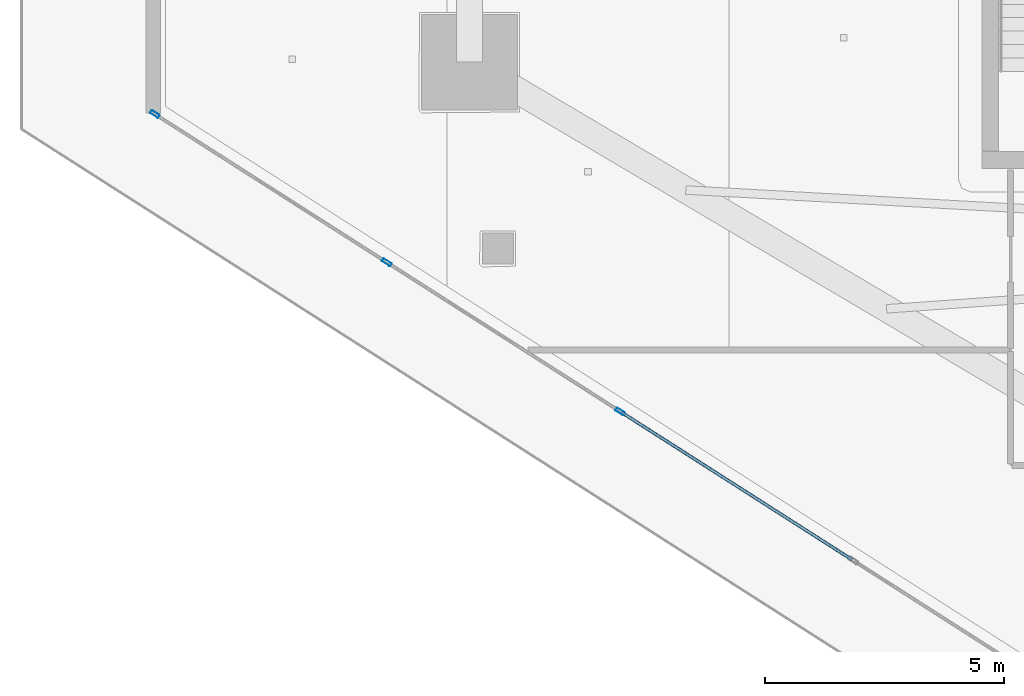
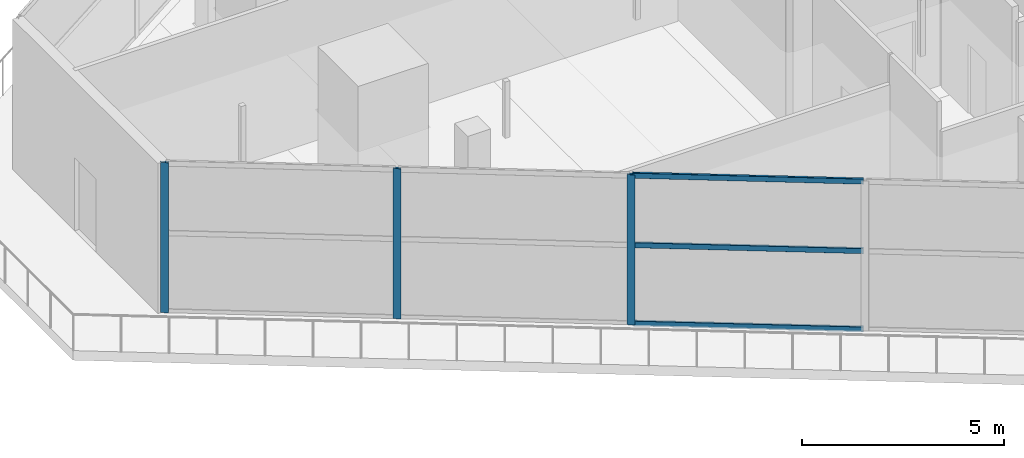
# One storey, part 6 of 36: 6 members, 1 element without a shape of its own.
"""IFC4 building model written with IfcOpenShell, lengths in metres."""

from ifc_helpers import new_model, si_unit, direction, frame, origin, origin_2d, place, context, subcontext, project, spatial, hollow_rectangle, extrude, material, layer, layer_set, material_profile, profile_set, type_object, element, aggregate, save


model = new_model("IFC4")

# Units and contexts
model_context = context("Model", 3, precision=1e-05, world=origin(), true_north=direction((0.0, 1.0)))
body_context = subcontext(model_context, "Body", "Model", "MODEL_VIEW")
ifc_project = project(units=[si_unit("LENGTHUNIT", "METRE"), si_unit("AREAUNIT", "SQUARE_METRE"), si_unit("VOLUMEUNIT", "CUBIC_METRE"), si_unit("PLANEANGLEUNIT", "RADIAN"), si_unit("MASSUNIT", "GRAM", prefix="KILO")], contexts=[model_context])

# Site, building, storey
site_placement = place(None, origin())
site = spatial("IfcSite", under=ifc_project, at=site_placement, CompositionType="ELEMENT")
building_placement = place(site_placement, origin())
building = spatial("IfcBuilding", under=site, at=building_placement, Name="Qorvath Tower", CompositionType="ELEMENT")
storey_placement = place(building_placement, frame((0.0, 0.0, 180.0)))
storey = spatial("IfcBuildingStorey", under=building, at=storey_placement, Name="L41", CompositionType="ELEMENT", Elevation=180.0)

# Curtain wall, members
ifc_material_1 = material(Name="Anodised aluminium and triple low-E glass", Category="aluminium")
ifc_layer = layer(ifc_material_1, 0.179931640625)
ifc_layer_set = layer_set([ifc_layer], Name="CW-SYS-5")
curtain_wall_type = type_object("IfcCurtainWallType", Name="CW-SYS-5", PredefinedType="NOTDEFINED", material=ifc_layer_set)
curtain_wall_placement = place(storey_placement, origin())
curtain_wall = element("IfcCurtainWall", 1, at=curtain_wall_placement, inside=storey, type_object=curtain_wall_type, Name="Curtain Wall CW-5 CW-T-L41-2.1", PredefinedType="NOTDEFINED")
ifc_material_2 = material(Name="Anodised aluminium 6063-T6", Category="aluminium")
ifc_material_profile_1 = material_profile(ifc_material_2, hollow_rectangle(XDim=0.074951171875, YDim=0.199951171875, WallThickness=0.00390625, InnerFilletRadius=0.00390625, OuterFilletRadius=0.008056640625, at=origin_2d()), Name="CWM 200x75")
ifc_profile_set_1 = profile_set([ifc_material_profile_1], Name="Anodised aluminium 6063-T6")
member_type_1 = type_object("IfcMemberType", Name="CWM-200", PredefinedType="MULLION", material=ifc_profile_set_1)
member_1_placement = place(storey_placement, frame((-55.748291015625, -3.6142578125, 0.0), z_axis=(0.0, 0.0, 1.0), x_axis=(0.538533311115, 0.842604220747, 0.0)))
member_1 = element("IfcMember", 2, at=member_1_placement, type_object=member_type_1, Name="CW-5 mullion 1", PredefinedType="MULLION", context=body_context, shape_type="SweptSolid", body=[
    extrude(hollow_rectangle(XDim=0.074951171875, YDim=0.199951171875, WallThickness=0.00390625, InnerFilletRadius=0.00390625, OuterFilletRadius=0.008056640625, at=origin_2d()), origin(), (0.0, 0.0, 1.0), 4.530029296875),
])
member_2_placement = place(storey_placement, frame((-50.901123046875, -6.712158203125, 0.0), z_axis=(0.0, 0.0, 1.0), x_axis=(0.538533311115, 0.842604220747, 0.0)))
member_2 = element("IfcMember", 3, at=member_2_placement, type_object=member_type_1, Name="CW-5 mullion 2", PredefinedType="MULLION", context=body_context, shape_type="SweptSolid", body=[
    extrude(hollow_rectangle(XDim=0.074951171875, YDim=0.199951171875, WallThickness=0.00390625, InnerFilletRadius=0.00390625, OuterFilletRadius=0.008056640625, at=origin_2d()), origin(), (0.0, 0.0, 1.0), 4.530029296875),
])
member_3_placement = place(storey_placement, frame((-46.022216796875, -9.830322265625, 0.0), z_axis=(0.0, 0.0, 1.0), x_axis=(0.538533311115, 0.842604220747, 0.0)))
member_3 = element("IfcMember", 4, at=member_3_placement, type_object=member_type_1, Name="CW-5 mullion 3", PredefinedType="MULLION", context=body_context, shape_type="SweptSolid", body=[
    extrude(hollow_rectangle(XDim=0.074951171875, YDim=0.199951171875, WallThickness=0.00390625, InnerFilletRadius=0.00390625, OuterFilletRadius=0.008056640625, at=origin_2d()), origin(), (0.0, 0.0, 1.0), 4.530029296875),
])
ifc_material_3 = material(Name="Anodised aluminium 6063-T6", Category="aluminium")
ifc_material_profile_2 = material_profile(ifc_material_3, hollow_rectangle(XDim=0.06494140625, YDim=0.159912109375, WallThickness=0.00341796875, InnerFilletRadius=0.00341796875, OuterFilletRadius=0.007080078125, at=origin_2d()), Name="CWT 160x65")
ifc_profile_set_2 = profile_set([ifc_material_profile_2], Name="Anodised aluminium 6063-T6")
member_type_2 = type_object("IfcMemberType", Name="CWT-160", PredefinedType="USERDEFINED", material=ifc_profile_set_2)
member_4_placement = place(storey_placement, frame((-45.99072265625, -9.8505859375, 0.032470703125), z_axis=(0.842620341433, -0.538508087407, 0.0), x_axis=(0.538508087407, 0.842620341433, 0.0)))
member_4 = element("IfcMember", 5, at=member_4_placement, type_object=member_type_2, Name="CW-5 transom 3.1", ObjectType="TRANSOM", PredefinedType="USERDEFINED", context=body_context, shape_type="SweptSolid", body=[
    extrude(hollow_rectangle(XDim=0.06494140625, YDim=0.159912109375, WallThickness=0.00341796875, InnerFilletRadius=0.00341796875, OuterFilletRadius=0.007080078125, at=origin_2d()), origin(), (0.0, 0.0, 1.0), 5.715087890625),
])
member_5_placement = place(storey_placement, frame((-45.99072265625, -9.8505859375, 2.39990234375), z_axis=(0.842620341433, -0.538508087407, 0.0), x_axis=(0.538508087407, 0.842620341433, 0.0)))
member_5 = element("IfcMember", 6, at=member_5_placement, type_object=member_type_2, Name="CW-5 transom 3.2", ObjectType="TRANSOM", PredefinedType="USERDEFINED", context=body_context, shape_type="SweptSolid", body=[
    extrude(hollow_rectangle(XDim=0.06494140625, YDim=0.159912109375, WallThickness=0.00341796875, InnerFilletRadius=0.00341796875, OuterFilletRadius=0.007080078125, at=origin_2d()), origin(), (0.0, 0.0, 1.0), 5.715087890625),
])
member_6_placement = place(storey_placement, frame((-45.99072265625, -9.8505859375, 4.49755859375), z_axis=(0.842620341433, -0.538508087407, 0.0), x_axis=(0.538508087407, 0.842620341433, 0.0)))
member_6 = element("IfcMember", 7, at=member_6_placement, type_object=member_type_2, Name="CW-5 transom 3.3", ObjectType="TRANSOM", PredefinedType="USERDEFINED", context=body_context, shape_type="SweptSolid", body=[
    extrude(hollow_rectangle(XDim=0.06494140625, YDim=0.159912109375, WallThickness=0.00341796875, InnerFilletRadius=0.00341796875, OuterFilletRadius=0.007080078125, at=origin_2d()), origin(), (0.0, 0.0, 1.0), 5.715087890625),
])
aggregate(curtain_wall, [member_1, member_2, member_3, member_4, member_5, member_6])

save(model, "model.ifc")
